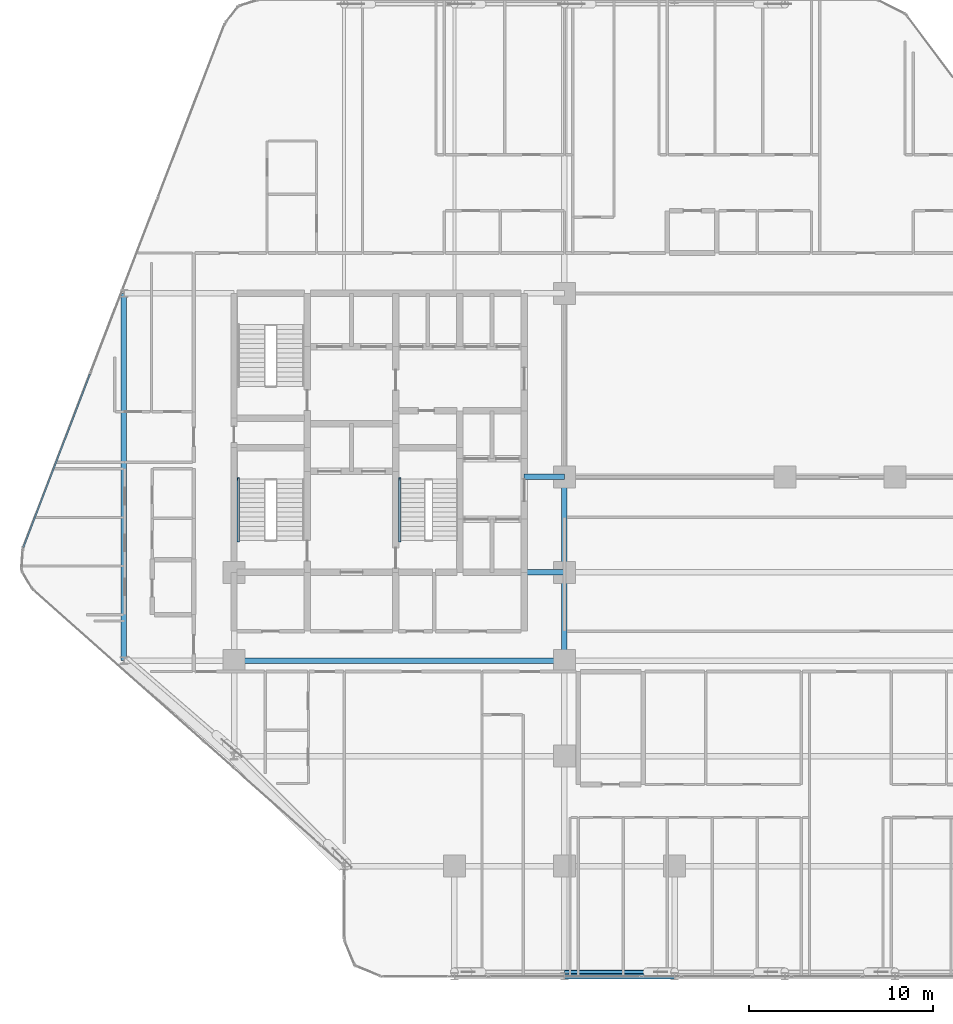
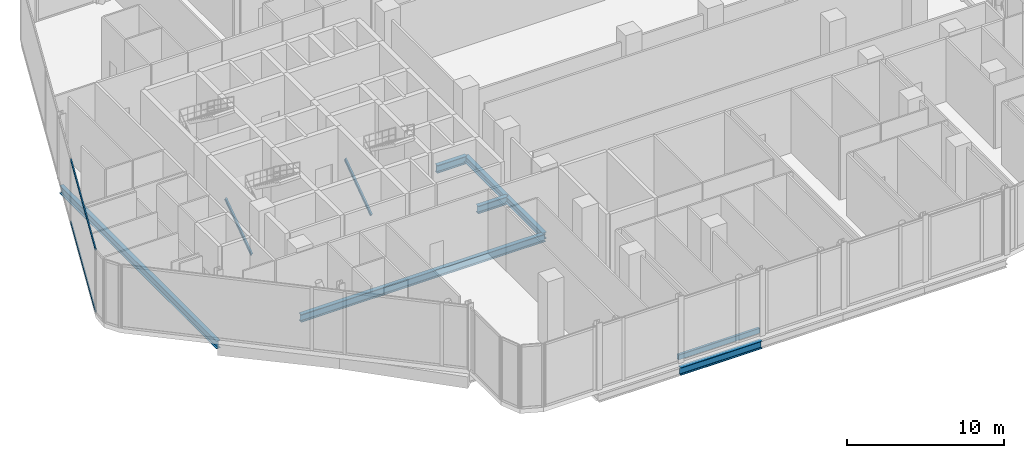
# One storey, part 7 of 36: 7 beams, 5 members, 1 element without a shape of its own.
"""IFC4 building model written with IfcOpenShell, lengths in metres."""

from ifc_helpers import new_model, si_unit, direction, frame, origin, origin_2d, place, context, subcontext, project, spatial, hollow_rectangle, i_section, extrude, material, layer, layer_set, material_profile, profile_set, type_object, element, aggregate, save


model = new_model("IFC4")

# Units and contexts
model_context = context("Model", 3, precision=1e-05, world=origin(), true_north=direction((0.0, 1.0)))
body_context = subcontext(model_context, "Body", "Model", "MODEL_VIEW")
ifc_project = project(units=[si_unit("LENGTHUNIT", "METRE"), si_unit("AREAUNIT", "SQUARE_METRE"), si_unit("VOLUMEUNIT", "CUBIC_METRE"), si_unit("PLANEANGLEUNIT", "RADIAN"), si_unit("MASSUNIT", "GRAM", prefix="KILO")], contexts=[model_context])

# Site, building, storey
site_placement = place(None, origin())
site = spatial("IfcSite", under=ifc_project, at=site_placement, CompositionType="ELEMENT")
building_placement = place(site_placement, origin())
building = spatial("IfcBuilding", under=site, at=building_placement, Name="Keshet Zoharim Tower", CompositionType="ELEMENT")
storey_placement = place(building_placement, frame((0.0, 0.0, 81.199951171875)))
storey = spatial("IfcBuildingStorey", under=building, at=storey_placement, Name="L19", CompositionType="ELEMENT", Elevation=81.199951171875)

# Beams
ifc_material_1 = material(Name="Steel S355", Category="steel")
ifc_material_profile_1 = material_profile(ifc_material_1, i_section(OverallWidth=0.300048828125, OverallDepth=0.60009765625, WebThickness=0.015380859375, FlangeThickness=0.030029296875, FilletRadius=0.027099609375, at=origin_2d()), Name="HEB600")
ifc_profile_set_1 = profile_set([ifc_material_profile_1], Name="Steel S355")
beam_type_1 = type_object("IfcBeamType", Name="BM-CLK-HB600", PredefinedType="BEAM", material=ifc_profile_set_1)
for number, where, z_axis, x_axis, name in (
    (1, (30.800048828125, 22.699951171875, -0.719970703125), (1.0, 0.0, 0.0), (0.0, 1.0, 0.0), "L19 Core Wall Link Girder 01"),
    (2, (30.800048828125, 27.89990234375, -0.719970703125), (1.0, 0.0, 0.0), (0.0, 1.0, 0.0), "L19 Core Wall Link Girder 02"),
):
    element("IfcBeam", number, at=place(storey_placement, frame(where, z_axis=z_axis, x_axis=x_axis)), inside=storey, type_object=beam_type_1, Name=name, PredefinedType="BEAM", context=body_context, shape_type="SweptSolid", body=[
        extrude(i_section(OverallWidth=0.300048828125, OverallDepth=0.60009765625, WebThickness=0.015380859375, FlangeThickness=0.030029296875, FilletRadius=0.027099609375, at=origin_2d()), origin(), (0.0, 0.0, 1.0), 2.199951171875),
    ])
ifc_material_profile_2 = material_profile(ifc_material_1, i_section(OverallWidth=0.300048828125, OverallDepth=0.60009765625, WebThickness=0.015380859375, FlangeThickness=0.030029296875, FilletRadius=0.027099609375, at=origin_2d()), Name="HEB600")
ifc_profile_set_2 = profile_set([ifc_material_profile_2], Name="Steel S355")
beam_type_2 = type_object("IfcBeamType", Name="BM-LNG-HB600", PredefinedType="BEAM", material=ifc_profile_set_2)
beam_1_placement = place(storey_placement, frame((15.0, 17.89990234375, -0.719970703125), z_axis=(1.0, 0.0, 0.0), x_axis=(0.0, 1.0, 0.0)))
element("IfcBeam", 3, at=beam_1_placement, inside=storey, type_object=beam_type_2, Name="L19 Primary Girder X-016", PredefinedType="BEAM", context=body_context, shape_type="SweptSolid", body=[
    extrude(i_section(OverallWidth=0.300048828125, OverallDepth=0.60009765625, WebThickness=0.015380859375, FlangeThickness=0.030029296875, FilletRadius=0.027099609375, at=origin_2d()), origin(), (0.0, 0.0, 1.0), 18.0),
])
beam_2_placement = place(storey_placement, frame((9.0, 17.89990234375, -0.719970703125), z_axis=(0.0, 1.0, 0.0), x_axis=(-1.0, 0.0, 0.0)))
element("IfcBeam", 4, at=beam_2_placement, inside=storey, type_object=beam_type_2, Name="L19 Primary Girder Y-001", PredefinedType="BEAM", context=body_context, shape_type="SweptSolid", body=[
    extrude(i_section(OverallWidth=0.300048828125, OverallDepth=0.60009765625, WebThickness=0.015380859375, FlangeThickness=0.030029296875, FilletRadius=0.027099609375, at=origin_2d()), origin(), (0.0, 0.0, 1.0), 20.0),
])
ifc_material_profile_3 = material_profile(ifc_material_1, i_section(OverallWidth=0.300048828125, OverallDepth=0.5, WebThickness=0.014404296875, FlangeThickness=0.028076171875, FilletRadius=0.027099609375, at=origin_2d()), Name="HEB500")
ifc_profile_set_3 = profile_set([ifc_material_profile_3], Name="Steel S355")
beam_type_3 = type_object("IfcBeamType", Name="BM-WEB-HB500", PredefinedType="BEAM", material=ifc_profile_set_3)
beam_3_placement = place(storey_placement, frame((33.0, 17.89990234375, -0.669921875), z_axis=(0.0, 1.0, 0.0), x_axis=(-1.0, 0.0, 0.0)))
element("IfcBeam", 5, at=beam_3_placement, inside=storey, type_object=beam_type_3, Name="L19 Primary Girder Y-008", PredefinedType="BEAM", context=body_context, shape_type="SweptSolid", body=[
    extrude(i_section(OverallWidth=0.300048828125, OverallDepth=0.5, WebThickness=0.014404296875, FlangeThickness=0.028076171875, FilletRadius=0.027099609375, at=origin_2d()), origin(), (0.0, 0.0, 1.0), 4.800048828125),
])
beam_4_placement = place(storey_placement, frame((33.0, 22.699951171875, -0.669921875), z_axis=(0.0, 1.0, 0.0), x_axis=(-1.0, 0.0, 0.0)))
element("IfcBeam", 6, at=beam_4_placement, inside=storey, type_object=beam_type_3, Name="L19 Primary Girder Y-009", PredefinedType="BEAM", context=body_context, shape_type="SweptSolid", body=[
    extrude(i_section(OverallWidth=0.300048828125, OverallDepth=0.5, WebThickness=0.014404296875, FlangeThickness=0.028076171875, FilletRadius=0.027099609375, at=origin_2d()), origin(), (0.0, 0.0, 1.0), 5.199951171875),
])
ifc_material_profile_4 = material_profile(ifc_material_1, i_section(OverallWidth=0.300048828125, OverallDepth=0.60009765625, WebThickness=0.015380859375, FlangeThickness=0.030029296875, FilletRadius=0.027099609375, at=origin_2d()), Name="HEB600")
ifc_profile_set_4 = profile_set([ifc_material_profile_4], Name="Steel S355")
beam_type_4 = type_object("IfcBeamType", Name="BM-WEB-HB600", PredefinedType="BEAM", material=ifc_profile_set_4)
beam_5_placement = place(storey_placement, frame((33.0, 0.699951171875, -0.719970703125), z_axis=(1.0, 0.0, 0.0), x_axis=(0.0, 1.0, 0.0)))
element("IfcBeam", 7, at=beam_5_placement, inside=storey, type_object=beam_type_4, Name="L19 Primary Girder X-002", PredefinedType="BEAM", context=body_context, shape_type="SweptSolid", body=[
    extrude(i_section(OverallWidth=0.300048828125, OverallDepth=0.60009765625, WebThickness=0.015380859375, FlangeThickness=0.030029296875, FilletRadius=0.027099609375, at=origin_2d()), origin(), (0.0, 0.0, 1.0), 6.0),
])

# Curtain wall, members
ifc_material_2 = material(Name="Aluminium 6063-T6", Category="aluminium")
ifc_layer = layer(ifc_material_2, 0.179931640625)
ifc_layer_set = layer_set([ifc_layer], Name="Aluminium 6063-T6")
curtain_wall_type = type_object("IfcCurtainWallType", Name="CW-SYS-01", PredefinedType="NOTDEFINED", material=ifc_layer_set)
curtain_wall_placement = place(storey_placement, origin())
curtain_wall = element("IfcCurtainWall", 8, at=curtain_wall_placement, inside=storey, type_object=curtain_wall_type, Name="L19 Unitised Curtain Wall 04", PredefinedType="NOTDEFINED")
ifc_material_profile_5 = material_profile(ifc_material_2, hollow_rectangle(XDim=0.0849609375, YDim=0.159912109375, WallThickness=0.00439453125, at=origin_2d()), Name="TRN-85x160")
ifc_profile_set_5 = profile_set([ifc_material_profile_5], Name="Aluminium 6063-T6")
member_type_1 = type_object("IfcMemberType", Name="CWT-T16", PredefinedType="USERDEFINED", material=ifc_profile_set_5)
member_1_placement = place(storey_placement, frame((3.522216796875, 24.058349609375, 0.03515625), z_axis=(0.358993631387, 0.93334000912, 0.0), x_axis=(-0.93334000912, 0.358993631387, 0.0)))
member_1 = element("IfcMember", 9, at=member_1_placement, type_object=member_type_1, Name="CW-01 transom 1.1", ObjectType="TRANSOM", PredefinedType="USERDEFINED", context=body_context, shape_type="SweptSolid", body=[
    extrude(hollow_rectangle(XDim=0.0849609375, YDim=0.159912109375, WallThickness=0.00439453125, at=origin_2d()), origin(), (0.0, 0.0, 1.0), 10.1181640625),
])
member_2_placement = place(storey_placement, frame((3.522216796875, 24.058349609375, 4.85009765625), z_axis=(0.358993631387, 0.93334000912, 0.0), x_axis=(-0.93334000912, 0.358993631387, 0.0)))
member_2 = element("IfcMember", 10, at=member_2_placement, type_object=member_type_1, Name="CW-01 transom 1.2", ObjectType="TRANSOM", PredefinedType="USERDEFINED", context=body_context, shape_type="SweptSolid", body=[
    extrude(hollow_rectangle(XDim=0.0849609375, YDim=0.159912109375, WallThickness=0.00439453125, at=origin_2d()), origin(), (0.0, 0.0, 1.0), 10.1181640625),
])
aggregate(curtain_wall, [member_1, member_2])

# Members
ifc_material_profile_6 = material_profile(ifc_material_1, hollow_rectangle(XDim=0.199951171875, YDim=0.39990234375, WallThickness=0.01611328125, InnerFilletRadius=0.01611328125, OuterFilletRadius=0.02392578125, at=origin_2d()), Name="RHS400x200x16")
ifc_profile_set_6 = profile_set([ifc_material_profile_6], Name="Steel S355")
member_type_2 = type_object("IfcMemberType", Name="MB-CHD-R400", PredefinedType="CHORD", material=ifc_profile_set_6)
member_3_placement = place(storey_placement, frame((39.0, 0.93994140625, 0.199951171875), z_axis=(-1.0, 0.0, 0.0), x_axis=(0.0, -1.0, 0.0)))
element("IfcMember", 11, at=member_3_placement, inside=storey, type_object=member_type_2, Name="L19 Perimeter Belt Truss Chord B12", PredefinedType="CHORD", context=body_context, shape_type="SweptSolid", body=[
    extrude(hollow_rectangle(XDim=0.199951171875, YDim=0.39990234375, WallThickness=0.01611328125, InnerFilletRadius=0.01611328125, OuterFilletRadius=0.02392578125, at=origin_2d()), origin(), (0.0, 0.0, 1.0), 6.0),
])
ifc_material_profile_7 = material_profile(ifc_material_1, i_section(OverallWidth=0.1201171875, OverallDepth=0.239990234375, WebThickness=0.006103515625, FlangeThickness=0.009765625, FilletRadius=0.014892578125, at=origin_2d()), Name="IPE240")
ifc_profile_set_7 = profile_set([ifc_material_profile_7], Name="Steel S355")
member_type_3 = type_object("IfcMemberType", Name="MB-STRG-IP240", PredefinedType="STRINGER", material=ifc_profile_set_7)
for number, where, z_axis, x_axis, name in (
    (12, (15.22998046875, 24.43994140625, 0.1201171875), (0.0, 0.817847925587, 0.575434419037), (-1.0, 0.0, 0.0), "L19 ST-01 Flight Steel Stringer"),
    (13, (24.030029296875, 24.43994140625, 0.1201171875), (0.0, 0.817847925587, 0.575434419037), (-1.0, 0.0, 0.0), "L19 ST-03 Flight Steel Stringer"),
):
    element("IfcMember", number, at=place(storey_placement, frame(where, z_axis=z_axis, x_axis=x_axis)), inside=storey, type_object=member_type_3, Name=name, PredefinedType="STRINGER", context=body_context, shape_type="SweptSolid", body=[
        extrude(i_section(OverallWidth=0.1201171875, OverallDepth=0.239990234375, WebThickness=0.006103515625, FlangeThickness=0.009765625, FilletRadius=0.014892578125, at=origin_2d()), origin(), (0.0, 0.0, 1.0), 4.10107421875),
    ])

save(model, "model.ifc")
